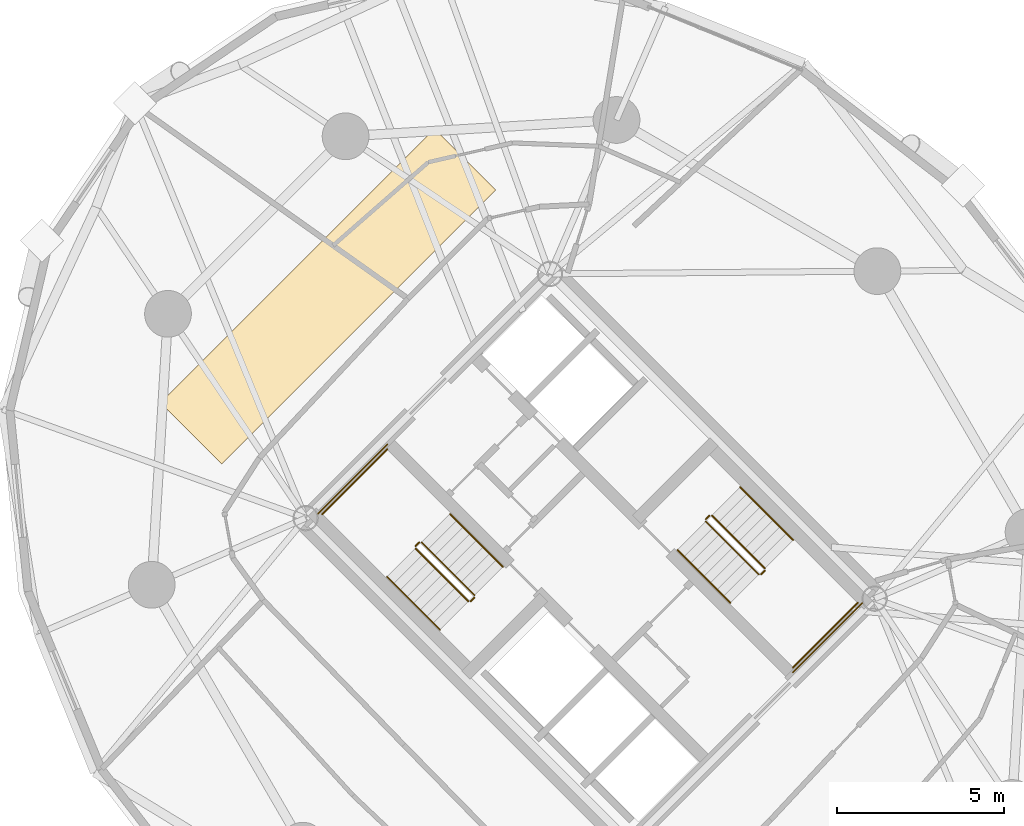
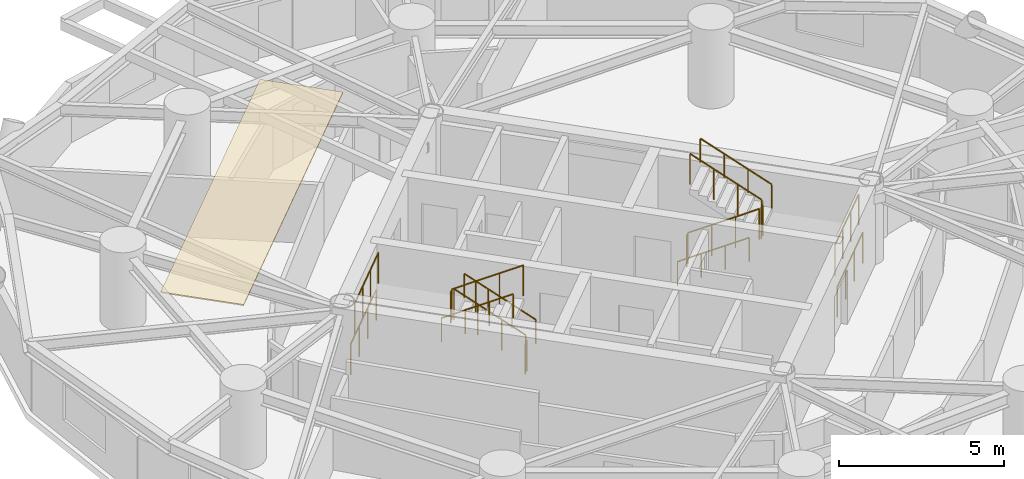
# One storey, part 17 of 18: 16 railings, 1 covering.
"""IFC4 building model written with IfcOpenShell, lengths in metres."""

from ifc_helpers import new_model, si_unit, direction, frame, origin, origin_2d, place, context, subcontext, project, spatial, polyline, circle, outline, extrude, material, layer, layer_set, type_object, element, save


model = new_model("IFC4")

# Units and contexts
model_context = context("Model", 3, precision=1e-05, world=origin(), true_north=direction((0.0, 1.0)))
body_context = subcontext(model_context, "Body", "Model", "MODEL_VIEW")
ifc_project = project(units=[si_unit("LENGTHUNIT", "METRE"), si_unit("AREAUNIT", "SQUARE_METRE"), si_unit("VOLUMEUNIT", "CUBIC_METRE"), si_unit("PLANEANGLEUNIT", "RADIAN"), si_unit("MASSUNIT", "GRAM", prefix="KILO")], contexts=[model_context])

# Site, building, storey
site_placement = place(None, origin())
site = spatial("IfcSite", under=ifc_project, at=site_placement, CompositionType="ELEMENT")
building_placement = place(site_placement, origin())
building = spatial("IfcBuilding", under=site, at=building_placement, Name="Cununo Teusaquillo Station Towers", CompositionType="ELEMENT")
storey_placement = place(building_placement, frame((0.0, 0.0, 110.889892578125)))
storey = spatial("IfcBuildingStorey", under=building, at=storey_placement, Name="L35", CompositionType="ELEMENT", Elevation=110.889892578125)

# Covering
ifc_material_1 = material(Name="Mineral-fibre acoustic suspended ceiling tile", Category="finish")
ifc_layer = layer(ifc_material_1, 0.044921875)
ifc_layer_set = layer_set([ifc_layer], Name="Mineral-fibre acoustic suspended ceiling tile")
covering_type = type_object("IfcCoveringType", Name="COV-CEIL-600", PredefinedType="CEILING", material=ifc_layer_set)
covering_placement = place(storey_placement, frame((0.0, 0.0, 2.625)))
element("IfcCovering", 1, at=covering_placement, inside=storey, type_object=covering_type, Name="L35 Tower B Acoustic Ceiling", PredefinedType="CEILING", context=body_context, shape_type="SweptSolid", body=[
    extrude(outline(polyline([(52.8330078125, 37.369384765625), (54.671630859375, 35.531005859375), (46.468994140625, 27.328369140625), (44.630615234375, 29.1669921875), (52.8330078125, 37.369384765625)])), origin(), (0.0, 0.0, 1.0), 0.045166015625),
])

# Railings
ifc_material_2 = material(Name="Steel EN 10025-2 S355J2", Category="steel")
railing_type_1 = type_object("IfcRailingType", Name="RL-INT-GUARD", PredefinedType="GUARDRAIL", material=ifc_material_2)
railing_1_placement = place(storey_placement, frame((54.03515625, 23.39697265625, 0.161865234375)))
element("IfcRailing", 2, at=railing_1_placement, inside=storey, type_object=railing_type_1, Name="L35 ST-T2-1 stair guard 1", PredefinedType="GUARDRAIL", context=body_context, shape_type="SweptSolid", body=[
    extrude(circle(Radius=0.02392578125, at=origin_2d()), frame((0.0, 0.0, 1.1259765625), z_axis=(-0.612361259024, 0.612361259024, 0.500027376144), x_axis=(-0.707106781187, -0.707106781187, 0.0)), (0.0, 0.0, 1.0), 2.586181640625),
    extrude(circle(Radius=0.02099609375, at=origin_2d()), origin(), (0.0, 0.0, 1.0), 1.101806640625),
    extrude(circle(Radius=0.02099609375, at=origin_2d()), frame((-0.52783203125, 0.52783203125, 0.43115234375)), (0.0, 0.0, 1.0), 1.101806640625),
    extrude(circle(Radius=0.02099609375, at=origin_2d()), frame((-1.055908203125, 1.055908203125, 0.862060546875)), (0.0, 0.0, 1.0), 1.101806640625),
    extrude(circle(Radius=0.02099609375, at=origin_2d()), frame((-1.583740234375, 1.583740234375, 1.293212890625)), (0.0, 0.0, 1.0), 1.101806640625),
])
railing_2_placement = place(storey_placement, frame((52.380615234375, 24.980712890625, 1.455078125)))
element("IfcRailing", 3, at=railing_2_placement, inside=storey, type_object=railing_type_1, Name="L35 ST-T2-1 stair guard 2", PredefinedType="GUARDRAIL", context=body_context, shape_type="SweptSolid", body=[
    extrude(circle(Radius=0.02392578125, at=origin_2d()), frame((0.0, 0.0, 1.1259765625), z_axis=(-0.7078691598, -0.706343579714, 0.0), x_axis=(0.706343579714, -0.7078691598, 0.0)), (0.0, 0.0, 1.0), 0.159912109375),
    extrude(circle(Radius=0.02099609375, at=origin_2d()), origin(), (0.0, 0.0, 1.0), 1.101806640625),
    extrude(circle(Radius=0.02099609375, at=origin_2d()), frame((-0.11328125, -0.113037109375, 0.0)), (0.0, 0.0, 1.0), 1.101806640625),
])
railing_3_placement = place(storey_placement, frame((51.426025390625, 27.77392578125, 1.455078125)))
element("IfcRailing", 4, at=railing_3_placement, inside=storey, type_object=railing_type_1, Name="L35 ST-T2-1 stair guard 3", PredefinedType="GUARDRAIL", context=body_context, shape_type="SweptSolid", body=[
    extrude(circle(Radius=0.02392578125, at=origin_2d()), frame((0.0, 0.0, 1.1259765625), z_axis=(-0.707106781187, -0.707106781187, 0.0), x_axis=(0.707106781187, -0.707106781187, 0.0)), (0.0, 0.0, 1.0), 2.760009765625),
    extrude(circle(Radius=0.02099609375, at=origin_2d()), origin(), (0.0, 0.0, 1.0), 1.101806640625),
    extrude(circle(Radius=0.02099609375, at=origin_2d()), frame((-0.650634765625, -0.650634765625, 0.0)), (0.0, 0.0, 1.0), 1.101806640625),
    extrude(circle(Radius=0.02099609375, at=origin_2d()), frame((-1.301025390625, -1.301025390625, 0.0)), (0.0, 0.0, 1.0), 1.101806640625),
    extrude(circle(Radius=0.02099609375, at=origin_2d()), frame((-1.95166015625, -1.95166015625, 0.0)), (0.0, 0.0, 1.0), 1.101806640625),
])
railing_4_placement = place(storey_placement, frame((52.267333984375, 24.796875, 1.61669921875)))
element("IfcRailing", 5, at=railing_4_placement, inside=storey, type_object=railing_type_1, Name="L35 ST-T2-1 stair guard 4", PredefinedType="GUARDRAIL", context=body_context, shape_type="SweptSolid", body=[
    extrude(circle(Radius=0.02392578125, at=origin_2d()), frame((0.0, 0.0, 1.1259765625), z_axis=(0.612391349474, -0.612296961165, 0.500069261639), x_axis=(0.707052281454, 0.707161276719, 0.0)), (0.0, 0.0, 1.0), 2.586669921875),
    extrude(circle(Radius=0.02099609375, at=origin_2d()), origin(), (0.0, 0.0, 1.0), 1.101806640625),
    extrude(circle(Radius=0.02099609375, at=origin_2d()), frame((0.528076171875, -0.52783203125, 0.43115234375)), (0.0, 0.0, 1.0), 1.101806640625),
    extrude(circle(Radius=0.02099609375, at=origin_2d()), frame((1.055908203125, -1.055908203125, 0.8623046875)), (0.0, 0.0, 1.0), 1.101806640625),
    extrude(circle(Radius=0.02099609375, at=origin_2d()), frame((1.583984375, -1.583740234375, 1.29345703125)), (0.0, 0.0, 1.0), 1.101806640625),
])
railing_5_placement = place(storey_placement, frame((54.03515625, 23.326171875, 0.0)))
element("IfcRailing", 6, at=railing_5_placement, inside=storey, type_object=railing_type_1, Name="L35 ST-T2-1 stair guard 5", PredefinedType="GUARDRAIL", context=body_context, shape_type="SweptSolid", body=[
    extrude(circle(Radius=0.02392578125, at=origin_2d()), frame((0.0, 0.0, 1.1259765625), z_axis=(-0.707106781187, -0.707106781187, 0.0), x_axis=(0.707106781187, -0.707106781187, 0.0)), (0.0, 0.0, 1.0), 0.159912109375),
    extrude(circle(Radius=0.02099609375, at=origin_2d()), origin(), (0.0, 0.0, 1.0), 1.101806640625),
    extrude(circle(Radius=0.02099609375, at=origin_2d()), frame((-0.113037109375, -0.113037109375, 0.0)), (0.0, 0.0, 1.0), 1.101806640625),
])
railing_6_placement = place(storey_placement, frame((51.426025390625, 27.915283203125, 0.0)))
element("IfcRailing", 7, at=railing_6_placement, inside=storey, type_object=railing_type_1, Name="L35 ST-T2-1 stair guard 6", PredefinedType="GUARDRAIL", context=body_context, shape_type="SweptSolid", body=[
    extrude(circle(Radius=0.02392578125, at=origin_2d()), frame((0.0, 0.0, 1.1259765625), z_axis=(-0.707106781187, -0.707106781187, 0.0), x_axis=(0.707106781187, -0.707106781187, 0.0)), (0.0, 0.0, 1.0), 2.9599609375),
    extrude(circle(Radius=0.02099609375, at=origin_2d()), origin(), (0.0, 0.0, 1.0), 1.101806640625),
    extrude(circle(Radius=0.02099609375, at=origin_2d()), frame((-0.69775390625, -0.69775390625, 0.0)), (0.0, 0.0, 1.0), 1.101806640625),
    extrude(circle(Radius=0.02099609375, at=origin_2d()), frame((-1.395263671875, -1.395263671875, 0.0)), (0.0, 0.0, 1.0), 1.101806640625),
    extrude(circle(Radius=0.02099609375, at=origin_2d()), frame((-2.093017578125, -2.093017578125, 0.0)), (0.0, 0.0, 1.0), 1.101806640625),
])
railing_7_placement = place(storey_placement, frame((60.96484375, 25.60302734375, 0.161865234375)))
element("IfcRailing", 8, at=railing_7_placement, inside=storey, type_object=railing_type_1, Name="L35 ST-T2-2 stair guard 1", PredefinedType="GUARDRAIL", context=body_context, shape_type="SweptSolid", body=[
    extrude(circle(Radius=0.02392578125, at=origin_2d()), frame((0.0, 0.0, 1.1259765625), z_axis=(0.612361259024, -0.612361259024, 0.500027376144), x_axis=(0.707106781187, 0.707106781187, 0.0)), (0.0, 0.0, 1.0), 2.586181640625),
    extrude(circle(Radius=0.02099609375, at=origin_2d()), origin(), (0.0, 0.0, 1.0), 1.101806640625),
    extrude(circle(Radius=0.02099609375, at=origin_2d()), frame((0.52783203125, -0.52783203125, 0.43115234375)), (0.0, 0.0, 1.0), 1.101806640625),
    extrude(circle(Radius=0.02099609375, at=origin_2d()), frame((1.055908203125, -1.055908203125, 0.862060546875)), (0.0, 0.0, 1.0), 1.101806640625),
    extrude(circle(Radius=0.02099609375, at=origin_2d()), frame((1.583740234375, -1.583740234375, 1.293212890625)), (0.0, 0.0, 1.0), 1.101806640625),
])
railing_8_placement = place(storey_placement, frame((62.619384765625, 24.019287109375, 1.455078125)))
element("IfcRailing", 9, at=railing_8_placement, inside=storey, type_object=railing_type_1, Name="L35 ST-T2-2 stair guard 2", PredefinedType="GUARDRAIL", context=body_context, shape_type="SweptSolid", body=[
    extrude(circle(Radius=0.02392578125, at=origin_2d()), frame((0.0, 0.0, 1.1259765625), z_axis=(0.7078691598, 0.706343579714, 0.0), x_axis=(-0.706343579714, 0.7078691598, 0.0)), (0.0, 0.0, 1.0), 0.159912109375),
    extrude(circle(Radius=0.02099609375, at=origin_2d()), origin(), (0.0, 0.0, 1.0), 1.101806640625),
    extrude(circle(Radius=0.02099609375, at=origin_2d()), frame((0.11328125, 0.113037109375, 0.0)), (0.0, 0.0, 1.0), 1.101806640625),
])
railing_9_placement = place(storey_placement, frame((63.573974609375, 21.22607421875, 1.455078125)))
element("IfcRailing", 10, at=railing_9_placement, inside=storey, type_object=railing_type_1, Name="L35 ST-T2-2 stair guard 3", PredefinedType="GUARDRAIL", context=body_context, shape_type="SweptSolid", body=[
    extrude(circle(Radius=0.02392578125, at=origin_2d()), frame((0.0, 0.0, 1.1259765625), z_axis=(0.707106781187, 0.707106781187, 0.0), x_axis=(-0.707106781187, 0.707106781187, 0.0)), (0.0, 0.0, 1.0), 2.760009765625),
    extrude(circle(Radius=0.02099609375, at=origin_2d()), origin(), (0.0, 0.0, 1.0), 1.101806640625),
    extrude(circle(Radius=0.02099609375, at=origin_2d()), frame((0.650634765625, 0.650634765625, 0.0)), (0.0, 0.0, 1.0), 1.101806640625),
    extrude(circle(Radius=0.02099609375, at=origin_2d()), frame((1.301025390625, 1.301025390625, 0.0)), (0.0, 0.0, 1.0), 1.101806640625),
    extrude(circle(Radius=0.02099609375, at=origin_2d()), frame((1.95166015625, 1.95166015625, 0.0)), (0.0, 0.0, 1.0), 1.101806640625),
])
railing_10_placement = place(storey_placement, frame((62.732666015625, 24.203125, 1.61669921875)))
element("IfcRailing", 11, at=railing_10_placement, inside=storey, type_object=railing_type_1, Name="L35 ST-T2-2 stair guard 4", PredefinedType="GUARDRAIL", context=body_context, shape_type="SweptSolid", body=[
    extrude(circle(Radius=0.02392578125, at=origin_2d()), frame((0.0, 0.0, 1.1259765625), z_axis=(-0.612391349474, 0.612296961165, 0.500069261639), x_axis=(-0.707052281454, -0.707161276719, 0.0)), (0.0, 0.0, 1.0), 2.586669921875),
    extrude(circle(Radius=0.02099609375, at=origin_2d()), origin(), (0.0, 0.0, 1.0), 1.101806640625),
    extrude(circle(Radius=0.02099609375, at=origin_2d()), frame((-0.528076171875, 0.52783203125, 0.43115234375)), (0.0, 0.0, 1.0), 1.101806640625),
    extrude(circle(Radius=0.02099609375, at=origin_2d()), frame((-1.055908203125, 1.055908203125, 0.8623046875)), (0.0, 0.0, 1.0), 1.101806640625),
    extrude(circle(Radius=0.02099609375, at=origin_2d()), frame((-1.583984375, 1.583740234375, 1.29345703125)), (0.0, 0.0, 1.0), 1.101806640625),
])
railing_11_placement = place(storey_placement, frame((60.96484375, 25.673828125, 0.0)))
element("IfcRailing", 12, at=railing_11_placement, inside=storey, type_object=railing_type_1, Name="L35 ST-T2-2 stair guard 5", PredefinedType="GUARDRAIL", context=body_context, shape_type="SweptSolid", body=[
    extrude(circle(Radius=0.02392578125, at=origin_2d()), frame((0.0, 0.0, 1.1259765625), z_axis=(0.707106781187, 0.707106781187, 0.0), x_axis=(-0.707106781187, 0.707106781187, 0.0)), (0.0, 0.0, 1.0), 0.159912109375),
    extrude(circle(Radius=0.02099609375, at=origin_2d()), origin(), (0.0, 0.0, 1.0), 1.101806640625),
    extrude(circle(Radius=0.02099609375, at=origin_2d()), frame((0.113037109375, 0.113037109375, 0.0)), (0.0, 0.0, 1.0), 1.101806640625),
])
railing_12_placement = place(storey_placement, frame((63.573974609375, 21.084716796875, 0.0)))
element("IfcRailing", 13, at=railing_12_placement, inside=storey, type_object=railing_type_1, Name="L35 ST-T2-2 stair guard 6", PredefinedType="GUARDRAIL", context=body_context, shape_type="SweptSolid", body=[
    extrude(circle(Radius=0.02392578125, at=origin_2d()), frame((0.0, 0.0, 1.1259765625), z_axis=(0.707106781187, 0.707106781187, 0.0), x_axis=(-0.707106781187, 0.707106781187, 0.0)), (0.0, 0.0, 1.0), 2.9599609375),
    extrude(circle(Radius=0.02099609375, at=origin_2d()), origin(), (0.0, 0.0, 1.0), 1.101806640625),
    extrude(circle(Radius=0.02099609375, at=origin_2d()), frame((0.69775390625, 0.69775390625, 0.0)), (0.0, 0.0, 1.0), 1.101806640625),
    extrude(circle(Radius=0.02099609375, at=origin_2d()), frame((1.395263671875, 1.395263671875, 0.0)), (0.0, 0.0, 1.0), 1.101806640625),
    extrude(circle(Radius=0.02099609375, at=origin_2d()), frame((2.093017578125, 2.093017578125, 0.0)), (0.0, 0.0, 1.0), 1.101806640625),
])
ifc_material_3 = material(Name="Steel EN 10025-2 S355J2", Category="steel")
railing_type_2 = type_object("IfcRailingType", Name="RL-INT-HRAIL", PredefinedType="HANDRAIL", material=ifc_material_3)
railing_13_placement = place(storey_placement, frame((54.8837890625, 24.245361328125, 0.161865234375)))
element("IfcRailing", 14, at=railing_13_placement, inside=storey, type_object=railing_type_2, Name="L35 ST-T2-1 stair handrail 1", PredefinedType="HANDRAIL", context=body_context, shape_type="SweptSolid", body=[
    extrude(circle(Radius=0.02392578125, at=origin_2d()), frame((0.0, 0.0, 0.8759765625), z_axis=(-0.612384857071, 0.612384857071, 0.499969572735), x_axis=(-0.707106781187, -0.707106781187, 0.0)), (0.0, 0.0, 1.0), 2.586669921875),
    extrude(circle(Radius=0.02099609375, at=origin_2d()), origin(), (0.0, 0.0, 1.0), 0.851806640625),
    extrude(circle(Radius=0.02099609375, at=origin_2d()), frame((-0.528076171875, 0.528076171875, 0.43115234375)), (0.0, 0.0, 1.0), 0.851806640625),
    extrude(circle(Radius=0.02099609375, at=origin_2d()), frame((-1.055908203125, 1.055908203125, 0.862060546875)), (0.0, 0.0, 1.0), 0.851806640625),
    extrude(circle(Radius=0.02099609375, at=origin_2d()), frame((-1.583984375, 1.583984375, 1.293212890625)), (0.0, 0.0, 1.0), 0.851806640625),
])
railing_14_placement = place(storey_placement, frame((51.4189453125, 23.948486328125, 1.61669921875)))
element("IfcRailing", 15, at=railing_14_placement, inside=storey, type_object=railing_type_2, Name="L35 ST-T2-1 stair handrail 2", PredefinedType="HANDRAIL", context=body_context, shape_type="SweptSolid", body=[
    extrude(circle(Radius=0.02392578125, at=origin_2d()), frame((0.0, 0.0, 0.8759765625), z_axis=(0.612355957468, -0.612355957468, 0.500040361077), x_axis=(0.707106781187, 0.707106781187, 0.0)), (0.0, 0.0, 1.0), 2.586669921875),
    extrude(circle(Radius=0.02099609375, at=origin_2d()), origin(), (0.0, 0.0, 1.0), 0.851806640625),
    extrude(circle(Radius=0.02099609375, at=origin_2d()), frame((0.528076171875, -0.528076171875, 0.43115234375)), (0.0, 0.0, 1.0), 0.851806640625),
    extrude(circle(Radius=0.02099609375, at=origin_2d()), frame((1.055908203125, -1.055908203125, 0.8623046875)), (0.0, 0.0, 1.0), 0.851806640625),
    extrude(circle(Radius=0.02099609375, at=origin_2d()), frame((1.583984375, -1.583984375, 1.29345703125)), (0.0, 0.0, 1.0), 0.851806640625),
])
railing_15_placement = place(storey_placement, frame((60.1162109375, 24.754638671875, 0.161865234375)))
element("IfcRailing", 16, at=railing_15_placement, inside=storey, type_object=railing_type_2, Name="L35 ST-T2-2 stair handrail 1", PredefinedType="HANDRAIL", context=body_context, shape_type="SweptSolid", body=[
    extrude(circle(Radius=0.02392578125, at=origin_2d()), frame((0.0, 0.0, 0.8759765625), z_axis=(0.612384857071, -0.612384857071, 0.499969572735), x_axis=(0.707106781187, 0.707106781187, 0.0)), (0.0, 0.0, 1.0), 2.586669921875),
    extrude(circle(Radius=0.02099609375, at=origin_2d()), origin(), (0.0, 0.0, 1.0), 0.851806640625),
    extrude(circle(Radius=0.02099609375, at=origin_2d()), frame((0.528076171875, -0.528076171875, 0.43115234375)), (0.0, 0.0, 1.0), 0.851806640625),
    extrude(circle(Radius=0.02099609375, at=origin_2d()), frame((1.055908203125, -1.055908203125, 0.862060546875)), (0.0, 0.0, 1.0), 0.851806640625),
    extrude(circle(Radius=0.02099609375, at=origin_2d()), frame((1.583984375, -1.583984375, 1.293212890625)), (0.0, 0.0, 1.0), 0.851806640625),
])
railing_16_placement = place(storey_placement, frame((63.5810546875, 25.051513671875, 1.61669921875)))
element("IfcRailing", 17, at=railing_16_placement, inside=storey, type_object=railing_type_2, Name="L35 ST-T2-2 stair handrail 2", PredefinedType="HANDRAIL", context=body_context, shape_type="SweptSolid", body=[
    extrude(circle(Radius=0.02392578125, at=origin_2d()), frame((0.0, 0.0, 0.8759765625), z_axis=(-0.612355957468, 0.612355957468, 0.500040361077), x_axis=(-0.707106781187, -0.707106781187, 0.0)), (0.0, 0.0, 1.0), 2.586669921875),
    extrude(circle(Radius=0.02099609375, at=origin_2d()), origin(), (0.0, 0.0, 1.0), 0.851806640625),
    extrude(circle(Radius=0.02099609375, at=origin_2d()), frame((-0.528076171875, 0.528076171875, 0.43115234375)), (0.0, 0.0, 1.0), 0.851806640625),
    extrude(circle(Radius=0.02099609375, at=origin_2d()), frame((-1.055908203125, 1.055908203125, 0.8623046875)), (0.0, 0.0, 1.0), 0.851806640625),
    extrude(circle(Radius=0.02099609375, at=origin_2d()), frame((-1.583984375, 1.583984375, 1.29345703125)), (0.0, 0.0, 1.0), 0.851806640625),
])

save(model, "model.ifc")
